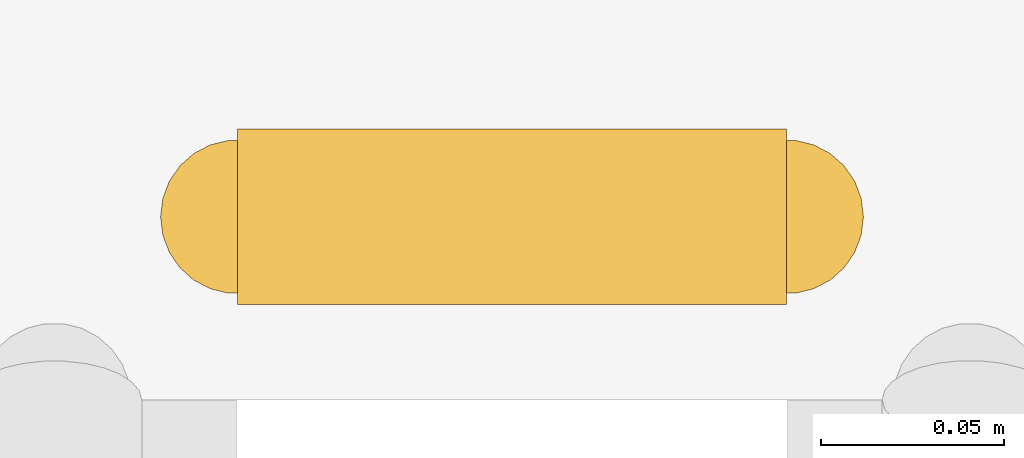
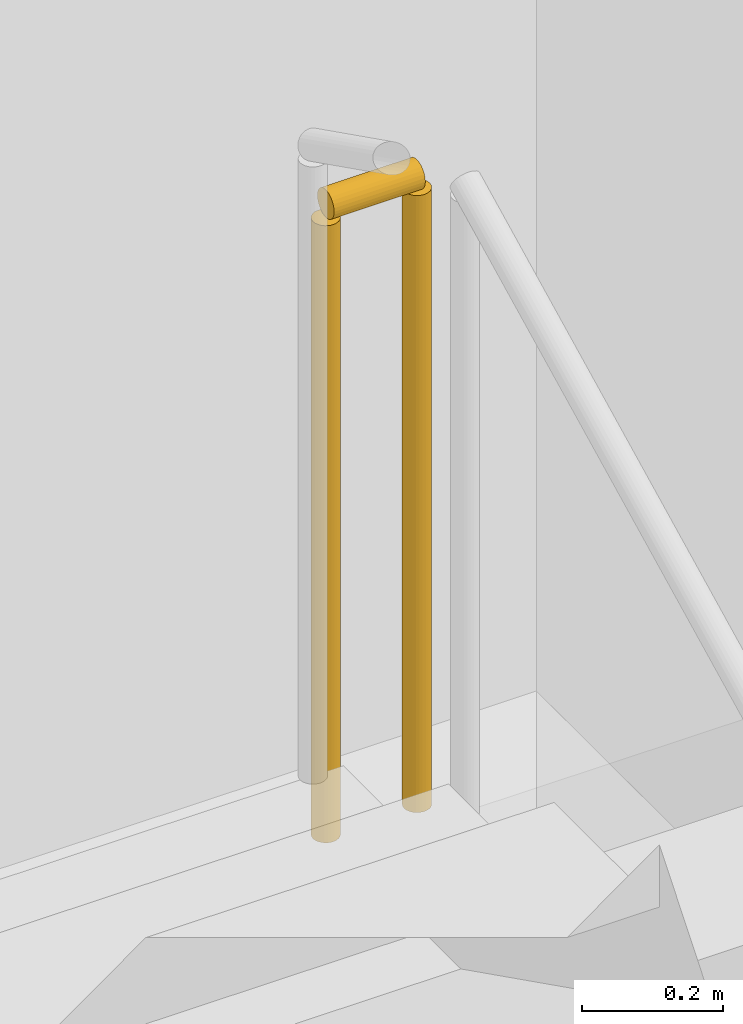
# One storey, part 17 of 17: 1 railing.
"""IFC4 building model written with IfcOpenShell, lengths in metres."""

from ifc_helpers import new_model, si_unit, direction, frame, origin, origin_2d, place, context, subcontext, project, spatial, circle, extrude, material, layer, layer_set, type_object, element, save


model = new_model("IFC4")

# Units and contexts
model_context = context("Model", 3, precision=1e-05, world=origin(), true_north=direction((0.0, 1.0)))
body_context = subcontext(model_context, "Body", "Model", "MODEL_VIEW")
ifc_project = project(units=[si_unit("LENGTHUNIT", "METRE"), si_unit("AREAUNIT", "SQUARE_METRE"), si_unit("VOLUMEUNIT", "CUBIC_METRE"), si_unit("PLANEANGLEUNIT", "RADIAN"), si_unit("MASSUNIT", "GRAM", prefix="KILO")], contexts=[model_context])

# Site, building, storey
site_placement = place(None, origin())
site = spatial("IfcSite", under=ifc_project, at=site_placement, CompositionType="ELEMENT")
building_placement = place(site_placement, origin())
building = spatial("IfcBuilding", under=site, at=building_placement, Name="Yukiwa Park Conservatory and Herbarium", CompositionType="ELEMENT")
storey_placement = place(building_placement, frame((0.0, 0.0, 17.10009765625)))
storey = spatial("IfcBuildingStorey", under=building, at=storey_placement, Name="L04", CompositionType="ELEMENT", Elevation=17.10009765625)

# Railing
ifc_material = material(Name="Steel Q235B", Category="steel")
ifc_layer = layer(ifc_material, 0.050048828125)
ifc_layer_set = layer_set([ifc_layer], Name="Steel Q235B")
railing_type = type_object("IfcRailingType", Name="RL-STAIR-GUARD-1120", PredefinedType="BALUSTRADE", material=ifc_layer_set)
railing_placement = place(storey_placement, frame((165.52001953125, 112.030029296875, 1.949951171875)))
element("IfcRailing", 1, at=railing_placement, inside=storey, type_object=railing_type, Name="L04 ST-T3 stair guard 2", PredefinedType="BALUSTRADE", context=body_context, shape_type="SweptSolid", body=[
    extrude(circle(Radius=0.02392578125, at=origin_2d()), frame((0.0, 0.0, 1.09619140625), z_axis=(-1.0, 0.0, 0.0), x_axis=(0.0, -1.0, 0.0)), (0.0, 0.0, 1.0), 0.14990234375),
    extrude(circle(Radius=0.02099609375, at=origin_2d()), origin(), (0.0, 0.0, 1.0), 1.072021484375),
    extrude(circle(Radius=0.02099609375, at=origin_2d()), frame((-0.14990234375, 0.0, 0.0)), (0.0, 0.0, 1.0), 1.072021484375),
])

save(model, "model.ifc")
